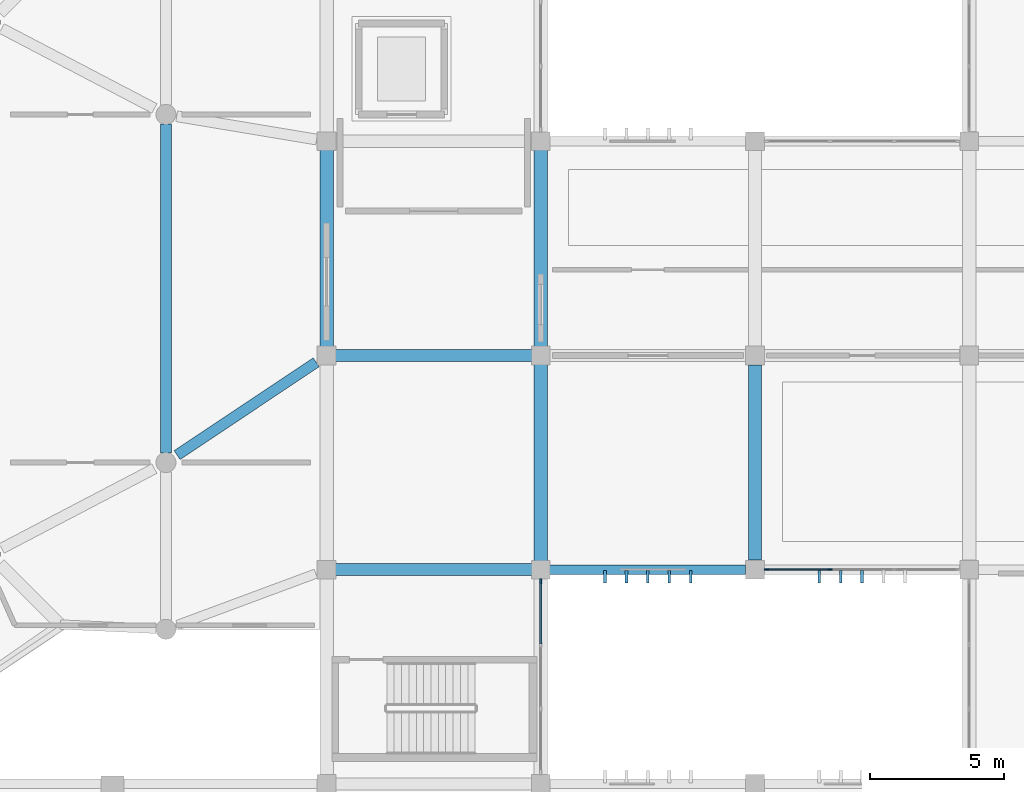
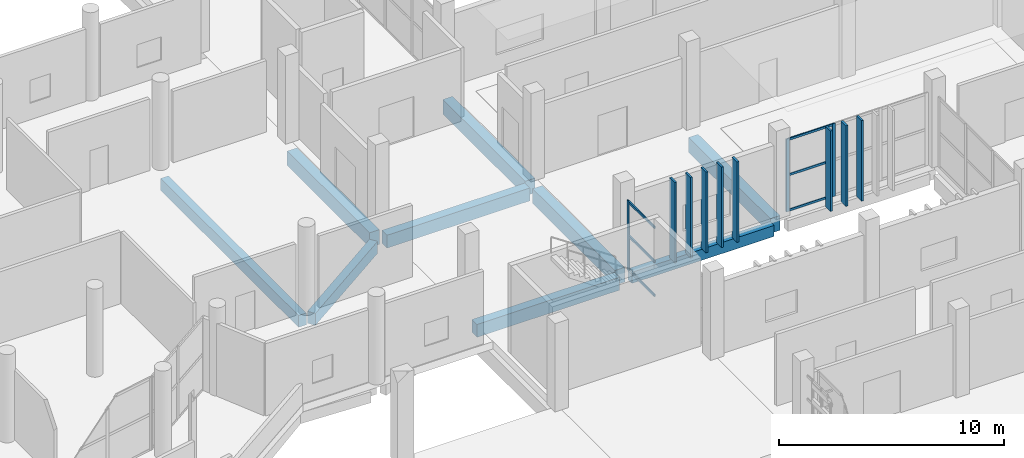
# One storey, part 34 of 117: 17 members, 9 beams, 2 elements without a shape of their own.
"""IFC4 building model written with IfcOpenShell, lengths in metres."""

from ifc_helpers import new_model, si_unit, direction, frame, origin, origin_2d, place, context, subcontext, project, spatial, rectangle, extrude, material, layer, layer_set, material_profile, profile_set, type_object, element, aggregate, save


model = new_model("IFC4")

# Units and contexts
model_context = context("Model", 3, precision=1e-05, world=origin(), true_north=direction((0.0, 1.0)))
body_context = subcontext(model_context, "Body", "Model", "MODEL_VIEW")
ifc_project = project(units=[si_unit("LENGTHUNIT", "METRE"), si_unit("AREAUNIT", "SQUARE_METRE"), si_unit("VOLUMEUNIT", "CUBIC_METRE"), si_unit("PLANEANGLEUNIT", "RADIAN"), si_unit("MASSUNIT", "GRAM", prefix="KILO")], contexts=[model_context])

# Site, building, storey
site_placement = place(None, origin())
site = spatial("IfcSite", under=ifc_project, at=site_placement, CompositionType="ELEMENT")
building_placement = place(site_placement, origin())
building = spatial("IfcBuilding", under=site, at=building_placement, Name="Jelvoka-Kovrelna Polytechnic", CompositionType="ELEMENT")
storey_placement = place(building_placement, origin())
storey = spatial("IfcBuildingStorey", under=building, at=storey_placement, Name="L01", CompositionType="ELEMENT", Elevation=0.0)

# Beams
ifc_material_1 = material(Name="Concrete C40/50", Category="concrete")
ifc_material_profile_1 = material_profile(ifc_material_1, rectangle(XDim=0.39990234375, YDim=0.64990234375, at=origin_2d()), Name="RC 400x650")
ifc_profile_set_1 = profile_set([ifc_material_profile_1], Name="Concrete C40/50")
beam_type_1 = type_object("IfcBeamType", Name="Beam_RC_400x650", PredefinedType="BEAM", material=ifc_profile_set_1)
beam_1_placement = place(storey_placement, frame((42.416015625, 36.27734375, -0.72998046875), z_axis=(0.832044280627, 0.554709216686, 0.0), x_axis=(-0.554709216686, 0.832044280627, 0.0)))
element("IfcBeam", 1, at=beam_1_placement, inside=storey, type_object=beam_type_1, Name="L01 beam 2392", PredefinedType="BEAM", context=body_context, shape_type="SweptSolid", body=[
    extrude(rectangle(XDim=0.39990234375, YDim=0.64990234375, at=origin_2d()), origin(), (0.0, 0.0, 1.0), 6.245849609375),
])
beam_2_placement = place(storey_placement, frame((42.0, 36.35498046875, -0.72998046875), z_axis=(0.0, 1.0, 0.0), x_axis=(-1.0, 0.0, 0.0)))
element("IfcBeam", 2, at=beam_2_placement, inside=storey, type_object=beam_type_1, Name="L01 beam 2394", PredefinedType="BEAM", context=body_context, shape_type="SweptSolid", body=[
    extrude(rectangle(XDim=0.39990234375, YDim=0.64990234375, at=origin_2d()), origin(), (0.0, 0.0, 1.0), 12.2900390625),
])
ifc_material_2 = material(Name="Concrete C40/50", Category="concrete")
ifc_material_profile_2 = material_profile(ifc_material_2, rectangle(XDim=0.449951171875, YDim=0.699951171875, at=origin_2d()), Name="RC 450x700")
ifc_profile_set_2 = profile_set([ifc_material_profile_2], Name="Concrete C40/50")
beam_type_2 = type_object("IfcBeamType", Name="Beam_RC_450x700", PredefinedType="BEAM", material=ifc_profile_set_2)
for number, where, z_axis, x_axis, name in (
    (3, (48.330078125, 32.0, -0.7548828125), (1.0, 0.0, 0.0), (0.0, 1.0, 0.0), "L01 beam 0525"),
    (4, (48.330078125, 40.0, -0.7548828125), (1.0, 0.0, 0.0), (0.0, 1.0, 0.0), "L01 beam 0526"),
):
    element("IfcBeam", number, at=place(storey_placement, frame(where, z_axis=z_axis, x_axis=x_axis)), inside=storey, type_object=beam_type_2, Name=name, PredefinedType="BEAM", context=body_context, shape_type="SweptSolid", body=[
        extrude(rectangle(XDim=0.449951171875, YDim=0.699951171875, at=origin_2d()), origin(), (0.0, 0.0, 1.0), 7.33984375),
    ])
ifc_material_3 = material(Name="Concrete C40/50", Category="concrete")
ifc_material_profile_3 = material_profile(ifc_material_3, rectangle(XDim=0.5, YDim=0.800048828125, at=origin_2d()), Name="RC 500x800")
ifc_profile_set_3 = profile_set([ifc_material_profile_3], Name="Concrete C40/50")
beam_type_3 = type_object("IfcBeamType", Name="Beam_RC_500x800", PredefinedType="BEAM", material=ifc_profile_set_3)
for number, where, z_axis, x_axis, name in (
    (5, (56.0, 32.330078125, -0.804931640625), (0.0, 1.0, 0.0), (-1.0, 0.0, 0.0), "L01 beam 0386"),
    (6, (56.0, 40.330078125, -0.804931640625), (0.0, 1.0, 0.0), (-1.0, 0.0, 0.0), "L01 beam 0387"),
):
    element("IfcBeam", number, at=place(storey_placement, frame(where, z_axis=z_axis, x_axis=x_axis)), inside=storey, type_object=beam_type_3, Name=name, PredefinedType="BEAM", context=body_context, shape_type="SweptSolid", body=[
        extrude(rectangle(XDim=0.5, YDim=0.800048828125, at=origin_2d()), origin(), (0.0, 0.0, 1.0), 7.33984375),
    ])
beam_3_placement = place(storey_placement, frame((64.0, 32.35498046875, -0.804931640625), z_axis=(0.0, 1.0, 0.0), x_axis=(-1.0, 0.0, 0.0)))
element("IfcBeam", 7, at=beam_3_placement, inside=storey, type_object=beam_type_3, Name="L01 beam 0388", PredefinedType="BEAM", context=body_context, shape_type="SweptSolid", body=[
    extrude(rectangle(XDim=0.5, YDim=0.800048828125, at=origin_2d()), origin(), (0.0, 0.0, 1.0), 7.2900390625),
])
beam_4_placement = place(storey_placement, frame((48.0, 40.330078125, -0.804931640625), z_axis=(0.0, 1.0, 0.0), x_axis=(-1.0, 0.0, 0.0)))
element("IfcBeam", 8, at=beam_4_placement, inside=storey, type_object=beam_type_3, Name="L01 beam 0532", PredefinedType="BEAM", context=body_context, shape_type="SweptSolid", body=[
    extrude(rectangle(XDim=0.5, YDim=0.800048828125, at=origin_2d()), origin(), (0.0, 0.0, 1.0), 7.33984375),
])

# Members
ifc_material_4 = material(Name="Precast concrete C40/50", Category="concrete")
ifc_material_profile_4 = material_profile(ifc_material_4, rectangle(XDim=0.10009765625, YDim=0.449951171875, at=origin_2d()), Name="PC 100x450")
ifc_profile_set_4 = profile_set([ifc_material_profile_4], Name="Precast concrete C40/50")
member_type_1 = type_object("IfcMemberType", Name="Louvre_Fin_100x450", PredefinedType="USERDEFINED", material=ifc_profile_set_4)
for number, where, z_axis, x_axis, name in (
    (9, (58.39990234375, 31.735107421875, -0.419921875), (0.0, 0.0, 1.0), (1.0, 0.0, 0.0), "L01 B2W south vertical solar louvre fin 0556"),
    (10, (59.199951171875, 31.735107421875, -0.419921875), (0.0, 0.0, 1.0), (1.0, 0.0, 0.0), "L01 B2W south vertical solar louvre fin 0557"),
    (11, (60.0, 31.735107421875, -0.419921875), (0.0, 0.0, 1.0), (1.0, 0.0, 0.0), "L01 B2W south vertical solar louvre fin 0558"),
    (12, (60.800048828125, 31.735107421875, -0.419921875), (0.0, 0.0, 1.0), (1.0, 0.0, 0.0), "L01 B2W south vertical solar louvre fin 0559"),
    (13, (61.60009765625, 31.735107421875, -0.419921875), (0.0, 0.0, 1.0), (1.0, 0.0, 0.0), "L01 B2W south vertical solar louvre fin 0560"),
    (14, (66.39990234375, 31.735107421875, -0.419921875), (0.0, 0.0, 1.0), (1.0, 0.0, 0.0), "L01 B2W south vertical solar louvre fin 0566"),
    (15, (67.199951171875, 31.735107421875, -0.419921875), (0.0, 0.0, 1.0), (1.0, 0.0, 0.0), "L01 B2W south vertical solar louvre fin 0567"),
    (16, (68.0, 31.735107421875, -0.419921875), (0.0, 0.0, 1.0), (1.0, 0.0, 0.0), "L01 B2W south vertical solar louvre fin 0568"),
):
    element("IfcMember", number, at=place(storey_placement, frame(where, z_axis=z_axis, x_axis=x_axis)), inside=storey, type_object=member_type_1, Name=name, ObjectType="SUNSHADE", PredefinedType="USERDEFINED", context=body_context, shape_type="SweptSolid", body=[
        extrude(rectangle(XDim=0.10009765625, YDim=0.449951171875, at=origin_2d()), origin(), (0.0, 0.0, 1.0), 4.3798828125),
    ])

# Curtain wall, members
ifc_material_5 = material(Name="Anodised aluminium 6063-T6", Category="aluminium")
ifc_layer_1 = layer(ifc_material_5, 0.159912109375)
ifc_layer_set_1 = layer_set([ifc_layer_1], Name="Anodised aluminium 6063-T6")
curtain_wall_type_1 = type_object("IfcCurtainWallType", Name="CW_Recessed_A", PredefinedType="NOTDEFINED", material=ifc_layer_set_1)
curtain_wall_1_placement = place(storey_placement, origin())
curtain_wall_1 = element("IfcCurtainWall", 17, at=curtain_wall_1_placement, inside=storey, type_object=curtain_wall_type_1, Name="L01 glazed curtain wall 009", PredefinedType="NOTDEFINED")
ifc_material_6 = material(Name="Anodised aluminium 6063-T6", Category="aluminium")
ifc_material_profile_5 = material_profile(ifc_material_6, rectangle(XDim=0.06005859375, YDim=0.159912109375, at=origin_2d()), Name="ALU 60x160")
ifc_profile_set_5 = profile_set([ifc_material_profile_5], Name="Anodised aluminium 6063-T6")
member_type_2 = type_object("IfcMemberType", Name="Mullion_M-01", PredefinedType="MULLION", material=ifc_profile_set_5)
member_1_placement = place(storey_placement, frame((66.800048828125, 32.0, -0.02490234375), z_axis=(0.0, 0.0, 1.0), x_axis=(0.0, -1.0, 0.0)))
member_1 = element("IfcMember", 18, at=member_1_placement, type_object=member_type_2, Name="CW-01 mullion 3", PredefinedType="MULLION", context=body_context, shape_type="SweptSolid", body=[
    extrude(rectangle(XDim=0.06005859375, YDim=0.159912109375, at=origin_2d()), origin(), (0.0, 0.0, 1.0), 3.9599609375),
])
member_2_placement = place(storey_placement, frame((64.429931640625, 32.0, -0.02490234375), z_axis=(0.0, 0.0, 1.0), x_axis=(0.0, -1.0, 0.0)))
member_2 = element("IfcMember", 19, at=member_2_placement, type_object=member_type_2, Name="CW-01 mullion 4", PredefinedType="MULLION", context=body_context, shape_type="SweptSolid", body=[
    extrude(rectangle(XDim=0.06005859375, YDim=0.159912109375, at=origin_2d()), origin(), (0.0, 0.0, 1.0), 3.9599609375),
])

# Curtain wall, member
ifc_material_7 = material(Name="Anodised aluminium 6063-T6", Category="aluminium")
ifc_layer_2 = layer(ifc_material_7, 0.179931640625)
ifc_layer_set_2 = layer_set([ifc_layer_2], Name="Anodised aluminium 6063-T6")
curtain_wall_type_2 = type_object("IfcCurtainWallType", Name="CW_Pavilion", PredefinedType="NOTDEFINED", material=ifc_layer_set_2)
curtain_wall_2_placement = place(storey_placement, origin())
curtain_wall_2 = element("IfcCurtainWall", 20, at=curtain_wall_2_placement, inside=storey, type_object=curtain_wall_type_2, Name="L01 glazed curtain wall 108", PredefinedType="NOTDEFINED")
ifc_material_8 = material(Name="Anodised aluminium 6063-T6", Category="aluminium")
ifc_material_profile_6 = material_profile(ifc_material_8, rectangle(XDim=0.06494140625, YDim=0.179931640625, at=origin_2d()), Name="ALU 65x180")
ifc_profile_set_6 = profile_set([ifc_material_profile_6], Name="Anodised aluminium 6063-T6")
member_type_3 = type_object("IfcMemberType", Name="Mullion_M-05", PredefinedType="MULLION", material=ifc_profile_set_6)
member_3_placement = place(storey_placement, frame((56.0, 31.5673828125, -0.02490234375), z_axis=(0.0, 0.0, 1.0), x_axis=(1.0, 0.0, 0.0)))
member_3 = element("IfcMember", 21, at=member_3_placement, type_object=member_type_3, Name="CW-05 mullion 1", PredefinedType="MULLION", context=body_context, shape_type="SweptSolid", body=[
    extrude(rectangle(XDim=0.06494140625, YDim=0.179931640625, at=origin_2d()), origin(), (0.0, 0.0, 1.0), 3.81005859375),
])

# Beam
ifc_material_9 = material(Name="Concrete C40/50", Category="concrete")
ifc_material_profile_7 = material_profile(ifc_material_9, rectangle(XDim=0.35009765625, YDim=0.60009765625, at=origin_2d()), Name="RC 350x600")
ifc_profile_set_7 = profile_set([ifc_material_profile_7], Name="Concrete C40/50")
beam_type_4 = type_object("IfcBeamType", Name="Spandrel_RC_350x600", PredefinedType="SPANDREL", material=ifc_profile_set_7)
beam_5_placement = place(storey_placement, frame((56.330078125, 32.0, -0.705078125), z_axis=(1.0, 0.0, 0.0), x_axis=(0.0, 1.0, 0.0)))
element("IfcBeam", 22, at=beam_5_placement, inside=storey, type_object=beam_type_4, Name="L01 beam 0366", PredefinedType="SPANDREL", context=body_context, shape_type="SweptSolid", body=[
    extrude(rectangle(XDim=0.35009765625, YDim=0.60009765625, at=origin_2d()), origin(), (0.0, 0.0, 1.0), 7.31494140625),
])

# Member
ifc_material_10 = material(Name="Anodised aluminium 6063-T6", Category="aluminium")
ifc_material_profile_8 = material_profile(ifc_material_10, rectangle(XDim=0.06005859375, YDim=0.1201171875, at=origin_2d()), Name="ALU 60x120")
ifc_profile_set_8 = profile_set([ifc_material_profile_8], Name="Anodised aluminium 6063-T6")
member_type_4 = type_object("IfcMemberType", Name="Transom_T-01", PredefinedType="USERDEFINED", material=ifc_profile_set_8)
member_4_placement = place(storey_placement, frame((66.77001953125, 32.0, 0.030029296875), z_axis=(-1.0, 0.0, 0.0), x_axis=(0.0, -1.0, 0.0)))
member_4 = element("IfcMember", 23, at=member_4_placement, type_object=member_type_4, Name="CW-01 transom 3.1", ObjectType="TRANSOM", PredefinedType="USERDEFINED", context=body_context, shape_type="SweptSolid", body=[
    extrude(rectangle(XDim=0.06005859375, YDim=0.1201171875, at=origin_2d()), origin(), (0.0, 0.0, 1.0), 2.31005859375),
])

member_5_placement = place(storey_placement, frame((66.77001953125, 32.0, 1.955078125), z_axis=(-1.0, 0.0, 0.0), x_axis=(0.0, -1.0, 0.0)))
member_5 = element("IfcMember", 24, at=member_5_placement, type_object=member_type_4, Name="CW-01 transom 3.2", ObjectType="TRANSOM", PredefinedType="USERDEFINED", context=body_context, shape_type="SweptSolid", body=[
    extrude(rectangle(XDim=0.06005859375, YDim=0.1201171875, at=origin_2d()), origin(), (0.0, 0.0, 1.0), 2.31005859375),
])

member_6_placement = place(storey_placement, frame((66.77001953125, 32.0, 3.8798828125), z_axis=(-1.0, 0.0, 0.0), x_axis=(0.0, -1.0, 0.0)))
member_6 = element("IfcMember", 25, at=member_6_placement, type_object=member_type_4, Name="CW-01 transom 3.3", ObjectType="TRANSOM", PredefinedType="USERDEFINED", context=body_context, shape_type="SweptSolid", body=[
    extrude(rectangle(XDim=0.06005859375, YDim=0.1201171875, at=origin_2d()), origin(), (0.0, 0.0, 1.0), 2.31005859375),
])

aggregate(curtain_wall_1, [member_1, member_2, member_4, member_5, member_6])

ifc_material_11 = material(Name="Anodised aluminium 6063-T6", Category="aluminium")
ifc_material_profile_9 = material_profile(ifc_material_11, rectangle(XDim=0.06494140625, YDim=0.135009765625, at=origin_2d()), Name="ALU 65x135")
ifc_profile_set_9 = profile_set([ifc_material_profile_9], Name="Anodised aluminium 6063-T6")
member_type_5 = type_object("IfcMemberType", Name="Transom_T-05", PredefinedType="USERDEFINED", material=ifc_profile_set_9)
member_7_placement = place(storey_placement, frame((56.0, 31.534912109375, 0.032470703125), z_axis=(0.0, -1.0, 0.0), x_axis=(1.0, 0.0, 0.0)))
member_7 = element("IfcMember", 26, at=member_7_placement, type_object=member_type_5, Name="CW-05 transom 1.1", ObjectType="TRANSOM", PredefinedType="USERDEFINED", context=body_context, shape_type="SweptSolid", body=[
    extrude(rectangle(XDim=0.06494140625, YDim=0.135009765625, at=origin_2d()), origin(), (0.0, 0.0, 1.0), 2.302490234375),
])

member_8_placement = place(storey_placement, frame((56.0, 31.534912109375, 1.8798828125), z_axis=(0.0, -1.0, 0.0), x_axis=(1.0, 0.0, 0.0)))
member_8 = element("IfcMember", 27, at=member_8_placement, type_object=member_type_5, Name="CW-05 transom 1.2", ObjectType="TRANSOM", PredefinedType="USERDEFINED", context=body_context, shape_type="SweptSolid", body=[
    extrude(rectangle(XDim=0.06494140625, YDim=0.135009765625, at=origin_2d()), origin(), (0.0, 0.0, 1.0), 2.302490234375),
])

member_9_placement = place(storey_placement, frame((56.0, 31.534912109375, 3.7275390625), z_axis=(0.0, -1.0, 0.0), x_axis=(1.0, 0.0, 0.0)))
member_9 = element("IfcMember", 28, at=member_9_placement, type_object=member_type_5, Name="CW-05 transom 1.3", ObjectType="TRANSOM", PredefinedType="USERDEFINED", context=body_context, shape_type="SweptSolid", body=[
    extrude(rectangle(XDim=0.06494140625, YDim=0.135009765625, at=origin_2d()), origin(), (0.0, 0.0, 1.0), 2.302490234375),
])

aggregate(curtain_wall_2, [member_3, member_7, member_8, member_9])

save(model, "model.ifc")
